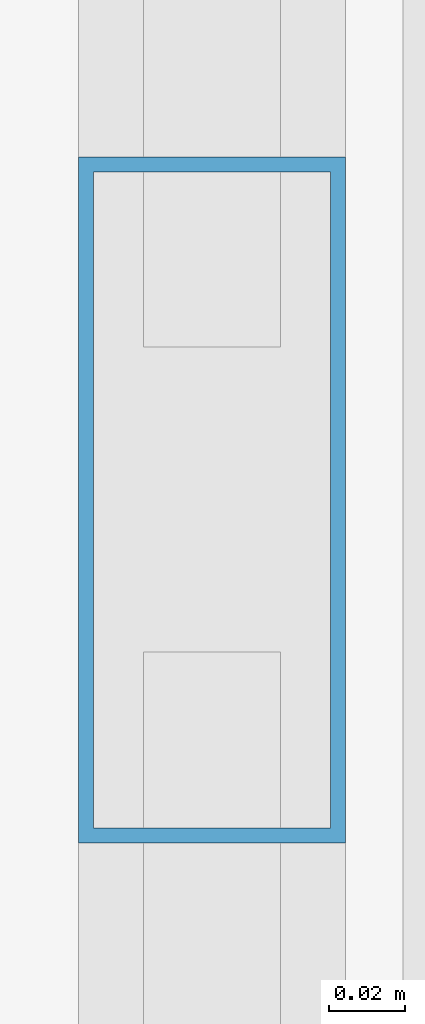
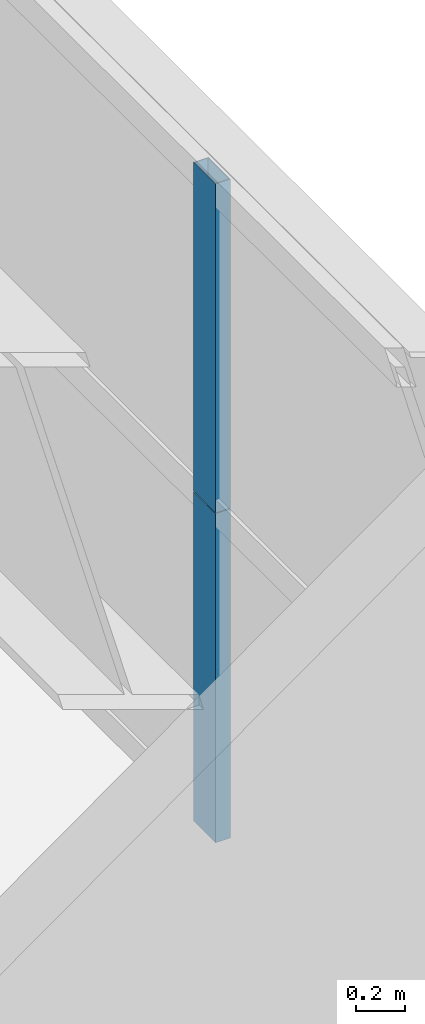
# One storey, part 34 of 45: 2 members, 1 element without a shape of its own.
"""IFC4 building model written with IfcOpenShell, lengths in metres."""

from ifc_helpers import new_model, si_unit, direction, frame, origin, origin_2d, place, context, subcontext, project, spatial, hollow_rectangle, extrude, source, transform, mapped, material, layer, layer_set, material_profile, profile_set, type_object, element, aggregate, save


model = new_model("IFC4")

# Units and contexts
model_context = context("Model", 3, precision=1e-05, world=origin(), true_north=direction((0.0, 1.0)))
body_context = subcontext(model_context, "Body", "Model", "MODEL_VIEW")
ifc_project = project(units=[si_unit("LENGTHUNIT", "METRE"), si_unit("AREAUNIT", "SQUARE_METRE"), si_unit("VOLUMEUNIT", "CUBIC_METRE"), si_unit("PLANEANGLEUNIT", "RADIAN"), si_unit("MASSUNIT", "GRAM", prefix="KILO"), si_unit("THERMODYNAMICTEMPERATUREUNIT", "KELVIN"), si_unit("POWERUNIT", "WATT")], contexts=[model_context])

# Site, building, storey
site_placement = place(None, origin())
site = spatial("IfcSite", under=ifc_project, at=site_placement, CompositionType="ELEMENT")
building_placement = place(site_placement, origin())
building = spatial("IfcBuilding", under=site, at=building_placement, Name="Yuzanri Waterfront Tower", CompositionType="ELEMENT")
storey_placement = place(building_placement, frame((0.0, 0.0, 163.199951171875)))
storey = spatial("IfcBuildingStorey", under=building, at=storey_placement, Name="L43", CompositionType="ELEMENT", Elevation=163.199951171875)

# Curtain wall, members
ifc_material_1 = material(Name="Anodized Architectural Bronze", Category="metal")
ifc_layer = layer(ifc_material_1, 0.159912109375)
ifc_layer_set = layer_set([ifc_layer], Name="Anodized Architectural Bronze")
curtain_wall_type = type_object("IfcCurtainWallType", Name="Anodized Bronze Hotel Upper-Tier Solar-Control Unitized Curtain Wall 7800", PredefinedType="NOTDEFINED", material=ifc_layer_set)
curtain_wall_placement = place(storey_placement, origin())
curtain_wall = element("IfcCurtainWall", 1, at=curtain_wall_placement, inside=storey, type_object=curtain_wall_type, Name="L43 Curtain Wall CW-L43-ER", PredefinedType="NOTDEFINED")
ifc_material_2 = material(Name="Anodized Architectural Bronze", Category="metal")
ifc_material_profile = material_profile(ifc_material_2, hollow_rectangle(XDim=0.070068359375, YDim=0.179931640625, WallThickness=0.00390625, at=origin_2d()), Name="CWM 70x180")
ifc_profile_set = profile_set([ifc_material_profile], Name="Anodized Architectural Bronze")
member_type = type_object("IfcMemberType", Name="Anodized Bronze Standard Curtain-Wall Mullion 70x180", PredefinedType="MULLION", material=ifc_profile_set)
shared_shape = source(origin(), body_context, "Body", "SweptSolid", [
    extrude(hollow_rectangle(XDim=0.070068359375, YDim=0.179931640625, WallThickness=0.00390625, at=origin_2d()), origin(), (0.0, 0.0, 1.0), 1.64794921875),
])
member_1_placement = place(storey_placement, frame((60.449951171875, 34.14990234375, 0.0), z_axis=(0.0, 0.0, 1.0), x_axis=(1.0, 0.0, 0.0)))
member_1 = element("IfcMember", 2, at=member_1_placement, type_object=member_type, Name="CW-L43-ER Lower Mullion 01", PredefinedType="MULLION", context=body_context, shape_type="MappedRepresentation", body=[
    mapped(shared_shape, transform((0.0, 0.0, 0.0), scale=1.0)),
])
member_2_placement = place(storey_placement, frame((60.449951171875, 34.14990234375, 1.652099609375), z_axis=(0.0, 0.0, 1.0), x_axis=(1.0, 0.0, 0.0)))
member_2 = element("IfcMember", 3, at=member_2_placement, type_object=member_type, Name="CW-L43-ER Upper Mullion 01", PredefinedType="MULLION", context=body_context, shape_type="MappedRepresentation", body=[
    mapped(shared_shape, transform((0.0, 0.0, 0.0), scale=1.0)),
])
aggregate(curtain_wall, [member_1, member_2])

save(model, "model.ifc")
